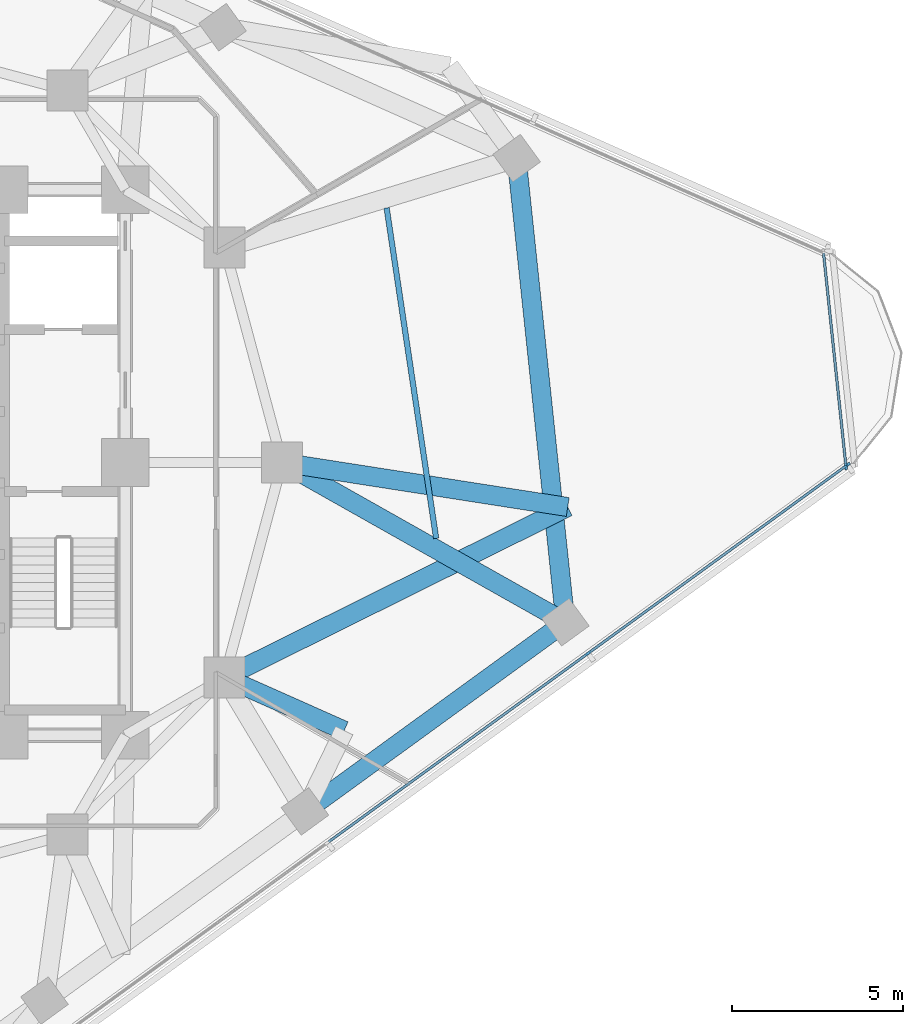
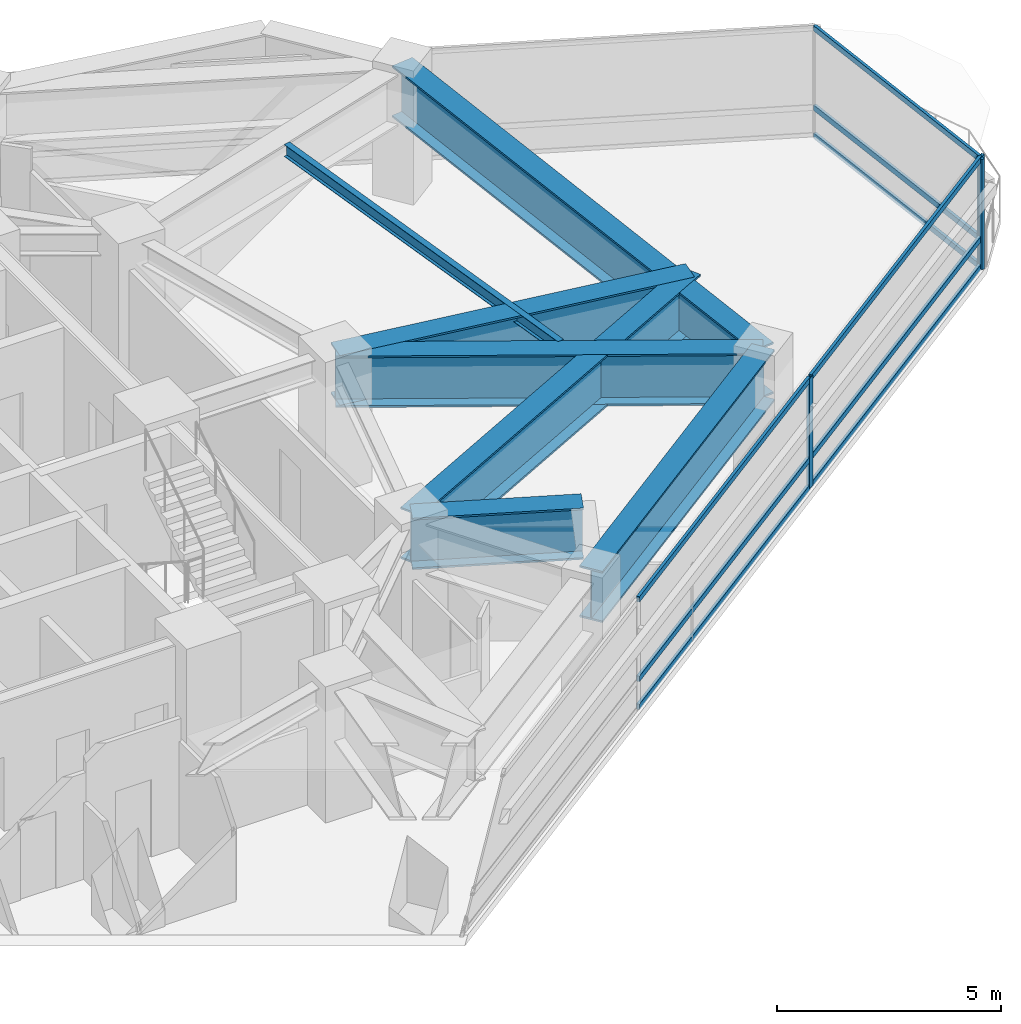
# One storey, part 4 of 14: 12 members, 7 beams, 2 elements without a shape of their own.
"""IFC4 building model written with IfcOpenShell, lengths in metres."""

from ifc_helpers import new_model, si_unit, direction, frame, origin, origin_2d, place, context, subcontext, project, spatial, rectangle, i_section, extrude, material, layer, layer_set, material_profile, profile_set, type_object, element, aggregate, save


model = new_model("IFC4")

# Units and contexts
model_context = context("Model", 3, precision=1e-05, world=origin(), true_north=direction((0.0, 1.0)))
body_context = subcontext(model_context, "Body", "Model", "MODEL_VIEW")
ifc_project = project(units=[si_unit("LENGTHUNIT", "METRE"), si_unit("AREAUNIT", "SQUARE_METRE"), si_unit("VOLUMEUNIT", "CUBIC_METRE"), si_unit("PLANEANGLEUNIT", "RADIAN"), si_unit("MASSUNIT", "GRAM", prefix="KILO")], contexts=[model_context])

# Site, building, storey
site_placement = place(None, origin())
site = spatial("IfcSite", under=ifc_project, at=site_placement, CompositionType="ELEMENT")
building_placement = place(site_placement, origin())
building = spatial("IfcBuilding", under=site, at=building_placement, Name="Terralouvre Media Tower", CompositionType="ELEMENT")
storey_placement = place(building_placement, frame((0.0, 0.0, 180.5)))
storey = spatial("IfcBuildingStorey", under=building, at=storey_placement, Name="L46", CompositionType="ELEMENT", Elevation=180.5)

# Beam
ifc_material_1 = material(Name="Structural steel S355J2", Category="steel")
ifc_material_profile_1 = material_profile(ifc_material_1, i_section(OverallWidth=0.159912109375, OverallDepth=0.330078125, WebThickness=0.007568359375, FlangeThickness=0.011474609375, at=origin_2d()), Name="IPE 330")
ifc_profile_set_1 = profile_set([ifc_material_profile_1], Name="Structural steel S355J2")
beam_type_1 = type_object("IfcBeamType", Name="Composite Floor Joist J-IPE330 (IPE 330)", PredefinedType="JOIST", material=ifc_profile_set_1)
beam_1_placement = place(storey_placement, frame((17.115234375, -2.22607421875, 3.3349609375), z_axis=(-0.148194275539, 0.988958268431, 0.0), x_axis=(-0.988958268431, -0.148194275539, 0.0)))
element("IfcBeam", 1, at=beam_1_placement, inside=storey, type_object=beam_type_1, Name="L46 Framing Beam JT-L46-03", PredefinedType="JOIST", context=body_context, shape_type="SweptSolid", body=[
    extrude(i_section(OverallWidth=0.159912109375, OverallDepth=0.330078125, WebThickness=0.007568359375, FlangeThickness=0.011474609375, at=origin_2d()), origin(), (0.0, 0.0, 1.0), 9.800537109375),
])

# Curtain wall, members
ifc_material_2 = material(Name="Low-iron laminated double glazing with solar-control coating", Category="glass")
ifc_layer_1 = layer(ifc_material_2, 0.1650390625, Name="Production Studio Tower Curtain Wall CW-03")
ifc_layer_set_1 = layer_set([ifc_layer_1], Name="Low-iron laminated double glazing with solar-control coating")
curtain_wall_type_1 = type_object("IfcCurtainWallType", Name="Production Studio Tower Curtain Wall CW-03", PredefinedType="NOTDEFINED", material=ifc_layer_set_1)
curtain_wall_1_placement = place(storey_placement, origin())
curtain_wall_1 = element("IfcCurtainWall", 2, at=curtain_wall_1_placement, inside=storey, type_object=curtain_wall_type_1, Name="L46 Facade Curtain Wall F0", PredefinedType="NOTDEFINED")
ifc_material_3 = material(Name="Anodised extruded aluminium 6063-T6", Category="aluminium")
ifc_material_profile_2 = material_profile(ifc_material_3, rectangle(XDim=0.074951171875, YDim=0.14990234375, at=origin_2d()), Name="ALU 75x150")
ifc_profile_set_2 = profile_set([ifc_material_profile_2], Name="Anodised extruded aluminium 6063-T6")
member_type_1 = type_object("IfcMemberType", Name="Curtain-Wall Horizontal Transom TR-150", PredefinedType="USERDEFINED", material=ifc_profile_set_2)
member_1_placement = place(storey_placement, frame((13.9619140625, -11.123046875, 0.03759765625), z_axis=(0.809023450607, 0.587776365948, 0.0), x_axis=(-0.587776365948, 0.809023450607, 0.0)))
member_1 = element("IfcMember", 3, at=member_1_placement, type_object=member_type_1, Name="CW-03 transom 4.1", ObjectType="TRANSOM", PredefinedType="USERDEFINED", context=body_context, shape_type="SweptSolid", body=[
    extrude(rectangle(XDim=0.074951171875, YDim=0.14990234375, at=origin_2d()), origin(), (0.0, 0.0, 1.0), 9.365234375),
])
member_2_placement = place(storey_placement, frame((13.9619140625, -11.123046875, 0.800048828125), z_axis=(0.809023450607, 0.587776365948, 0.0), x_axis=(-0.587776365948, 0.809023450607, 0.0)))
member_2 = element("IfcMember", 4, at=member_2_placement, type_object=member_type_1, Name="CW-03 transom 4.2", ObjectType="TRANSOM", PredefinedType="USERDEFINED", context=body_context, shape_type="SweptSolid", body=[
    extrude(rectangle(XDim=0.074951171875, YDim=0.14990234375, at=origin_2d()), origin(), (0.0, 0.0, 1.0), 9.365234375),
])
member_3_placement = place(storey_placement, frame((13.9619140625, -11.123046875, 2.96240234375), z_axis=(0.809023450607, 0.587776365948, 0.0), x_axis=(-0.587776365948, 0.809023450607, 0.0)))
member_3 = element("IfcMember", 5, at=member_3_placement, type_object=member_type_1, Name="CW-03 transom 4.3", ObjectType="TRANSOM", PredefinedType="USERDEFINED", context=body_context, shape_type="SweptSolid", body=[
    extrude(rectangle(XDim=0.074951171875, YDim=0.14990234375, at=origin_2d()), origin(), (0.0, 0.0, 1.0), 9.365234375),
])
member_4_placement = place(storey_placement, frame((21.59912109375, -5.574462890625, 0.03759765625), z_axis=(0.809013297727, 0.587790340259, 0.0), x_axis=(-0.587790340259, 0.809013297727, 0.0)))
member_4 = element("IfcMember", 6, at=member_4_placement, type_object=member_type_1, Name="CW-03 transom 5.1", ObjectType="TRANSOM", PredefinedType="USERDEFINED", context=body_context, shape_type="SweptSolid", body=[
    extrude(rectangle(XDim=0.074951171875, YDim=0.14990234375, at=origin_2d()), origin(), (0.0, 0.0, 1.0), 9.32763671875),
])
member_5_placement = place(storey_placement, frame((21.59912109375, -5.574462890625, 0.800048828125), z_axis=(0.809013297727, 0.587790340259, 0.0), x_axis=(-0.587790340259, 0.809013297727, 0.0)))
member_5 = element("IfcMember", 7, at=member_5_placement, type_object=member_type_1, Name="CW-03 transom 5.2", ObjectType="TRANSOM", PredefinedType="USERDEFINED", context=body_context, shape_type="SweptSolid", body=[
    extrude(rectangle(XDim=0.074951171875, YDim=0.14990234375, at=origin_2d()), origin(), (0.0, 0.0, 1.0), 9.32763671875),
])
member_6_placement = place(storey_placement, frame((21.59912109375, -5.574462890625, 2.96240234375), z_axis=(0.809013297727, 0.587790340259, 0.0), x_axis=(-0.587790340259, 0.809013297727, 0.0)))
member_6 = element("IfcMember", 8, at=member_6_placement, type_object=member_type_1, Name="CW-03 transom 5.3", ObjectType="TRANSOM", PredefinedType="USERDEFINED", context=body_context, shape_type="SweptSolid", body=[
    extrude(rectangle(XDim=0.074951171875, YDim=0.14990234375, at=origin_2d()), origin(), (0.0, 0.0, 1.0), 9.32763671875),
])

ifc_material_4 = material(Name="Low-iron laminated double glazing with solar-control coating", Category="glass")
ifc_layer_2 = layer(ifc_material_4, 0.1650390625, Name="Rounded Wind-Corner Curved Glazing CW-04")
ifc_layer_set_2 = layer_set([ifc_layer_2], Name="Low-iron laminated double glazing with solar-control coating")
curtain_wall_type_2 = type_object("IfcCurtainWallType", Name="Rounded Wind-Corner Curved Glazing CW-04", PredefinedType="NOTDEFINED", material=ifc_layer_set_2)
curtain_wall_2_placement = place(storey_placement, origin())
curtain_wall_2 = element("IfcCurtainWall", 9, at=curtain_wall_2_placement, inside=storey, type_object=curtain_wall_type_2, Name="L46 Rounded Wind-Corner Curtain Wall C1", PredefinedType="NOTDEFINED")
member_7_placement = place(storey_placement, frame((29.12939453125, -0.0849609375, 0.03759765625), z_axis=(-0.104542643073, 0.994520404908, 0.0), x_axis=(-0.994520404908, -0.104542643073, 0.0)))
member_7 = element("IfcMember", 10, at=member_7_placement, type_object=member_type_1, Name="CW-04 transom 1.1", ObjectType="TRANSOM", PredefinedType="USERDEFINED", context=body_context, shape_type="SweptSolid", body=[
    extrude(rectangle(XDim=0.074951171875, YDim=0.14990234375, at=origin_2d()), origin(), (0.0, 0.0, 1.0), 6.258544921875),
])
member_8_placement = place(storey_placement, frame((29.12939453125, -0.0849609375, 0.800048828125), z_axis=(-0.104542643073, 0.994520404908, 0.0), x_axis=(-0.994520404908, -0.104542643073, 0.0)))
member_8 = element("IfcMember", 11, at=member_8_placement, type_object=member_type_1, Name="CW-04 transom 1.2", ObjectType="TRANSOM", PredefinedType="USERDEFINED", context=body_context, shape_type="SweptSolid", body=[
    extrude(rectangle(XDim=0.074951171875, YDim=0.14990234375, at=origin_2d()), origin(), (0.0, 0.0, 1.0), 6.258544921875),
])
member_9_placement = place(storey_placement, frame((29.12939453125, -0.0849609375, 2.96240234375), z_axis=(-0.104542643073, 0.994520404908, 0.0), x_axis=(-0.994520404908, -0.104542643073, 0.0)))
member_9 = element("IfcMember", 12, at=member_9_placement, type_object=member_type_1, Name="CW-04 transom 1.3", ObjectType="TRANSOM", PredefinedType="USERDEFINED", context=body_context, shape_type="SweptSolid", body=[
    extrude(rectangle(XDim=0.074951171875, YDim=0.14990234375, at=origin_2d()), origin(), (0.0, 0.0, 1.0), 6.258544921875),
])

# Member
ifc_material_5 = material(Name="Anodised extruded aluminium 6063-T6", Category="aluminium")
ifc_material_profile_3 = material_profile(ifc_material_5, rectangle(XDim=0.074951171875, YDim=0.179931640625, at=origin_2d()), Name="ALU 75x180")
ifc_profile_set_3 = profile_set([ifc_material_profile_3], Name="Anodised extruded aluminium 6063-T6")
member_type_2 = type_object("IfcMemberType", Name="Curtain-Wall Vertical Mullion ML-180", PredefinedType="MULLION", material=ifc_profile_set_3)
member_10_placement = place(storey_placement, frame((21.56884765625, -5.596435546875, 0.0), z_axis=(0.0, 0.0, 1.0), x_axis=(-0.587785358263, 0.809016917383, 0.0)))
member_10 = element("IfcMember", 13, at=member_10_placement, type_object=member_type_2, Name="CW-03 mullion 5", PredefinedType="MULLION", context=body_context, shape_type="SweptSolid", body=[
    extrude(rectangle(XDim=0.074951171875, YDim=0.179931640625, at=origin_2d()), origin(), (0.0, 0.0, 1.0), 3.0),
])

member_11_placement = place(storey_placement, frame((29.175537109375, -0.06982421875, 0.0), z_axis=(0.0, 0.0, 1.0), x_axis=(-0.587785358263, 0.809016917383, 0.0)))
member_11 = element("IfcMember", 14, at=member_11_placement, type_object=member_type_2, Name="CW-03 mullion 6", PredefinedType="MULLION", context=body_context, shape_type="SweptSolid", body=[
    extrude(rectangle(XDim=0.074951171875, YDim=0.179931640625, at=origin_2d()), origin(), (0.0, 0.0, 1.0), 3.0),
])

aggregate(curtain_wall_1, [member_10, member_11, member_1, member_2, member_3, member_4, member_5, member_6])

member_12_placement = place(storey_placement, frame((29.13330078125, -0.122314453125, 0.0), z_axis=(0.0, 0.0, 1.0), x_axis=(-0.994521891172, -0.10452850319, 0.0)))
member_12 = element("IfcMember", 15, at=member_12_placement, type_object=member_type_2, Name="CW-04 mullion 1", PredefinedType="MULLION", context=body_context, shape_type="SweptSolid", body=[
    extrude(rectangle(XDim=0.074951171875, YDim=0.179931640625, at=origin_2d()), origin(), (0.0, 0.0, 1.0), 3.0),
])

aggregate(curtain_wall_2, [member_12, member_7, member_8, member_9])

# Beams
ifc_material_6 = material(Name="Structural steel S460M", Category="steel")
ifc_material_profile_4 = material_profile(ifc_material_6, i_section(OverallWidth=0.56005859375, OverallDepth=1.39990234375, WebThickness=0.031982421875, FlangeThickness=0.050048828125, at=origin_2d()), Name="TG 1400x560")
ifc_profile_set_4 = profile_set([ifc_material_profile_4], Name="Structural steel S460M")
beam_type_2 = type_object("IfcBeamType", Name="Welded Transfer Girder TG-1400 (TG 1400x560)", PredefinedType="USERDEFINED", material=ifc_profile_set_4)
beam_2_placement = place(storey_placement, frame((13.267578125, -10.23095703125, 2.800048828125), z_axis=(0.809016709277, 0.587785644696, 0.0), x_axis=(-0.587785644696, 0.809016709277, 0.0)))
element("IfcBeam", 16, at=beam_2_placement, inside=storey, type_object=beam_type_2, Name="L46 Framing Beam BM-L46-PR05", ObjectType="TRANSFER GIRDER", PredefinedType="USERDEFINED", context=body_context, shape_type="SweptSolid", body=[
    extrude(i_section(OverallWidth=0.56005859375, OverallDepth=1.39990234375, WebThickness=0.031982421875, FlangeThickness=0.050048828125, at=origin_2d()), origin(), (0.0, 0.0, 1.0), 9.439697265625),
])
beam_3_placement = place(storey_placement, frame((20.904541015625, -4.682373046875, 2.800048828125), z_axis=(-0.104517607269, 0.99452303632, 0.0), x_axis=(-0.99452303632, -0.104517607269, 0.0)))
element("IfcBeam", 17, at=beam_3_placement, inside=storey, type_object=beam_type_2, Name="L46 Framing Beam BM-L46-PR06", ObjectType="TRANSFER GIRDER", PredefinedType="USERDEFINED", context=body_context, shape_type="SweptSolid", body=[
    extrude(i_section(OverallWidth=0.56005859375, OverallDepth=1.39990234375, WebThickness=0.031982421875, FlangeThickness=0.050048828125, at=origin_2d()), origin(), (0.0, 0.0, 1.0), 13.68359375),
])
beam_4_placement = place(storey_placement, frame((12.60009765625, 0.0, 2.800048828125), z_axis=(0.871076516642, -0.491147332432, 0.0), x_axis=(0.491147332432, 0.871076516642, 0.0)))
element("IfcBeam", 18, at=beam_4_placement, inside=storey, type_object=beam_type_2, Name="L46 Framing Beam BM-L46-RD06", ObjectType="TRANSFER GIRDER", PredefinedType="USERDEFINED", context=body_context, shape_type="SweptSolid", body=[
    extrude(i_section(OverallWidth=0.56005859375, OverallDepth=1.39990234375, WebThickness=0.031982421875, FlangeThickness=0.050048828125, at=origin_2d()), origin(), (0.0, 0.0, 1.0), 9.533447265625),
])
beam_5_placement = place(storey_placement, frame((14.417236328125, -7.86083984375, 2.800048828125), z_axis=(-0.913535846257, 0.406758229915, 0.0), x_axis=(-0.406758229915, -0.913535846257, 0.0)))
element("IfcBeam", 19, at=beam_5_placement, inside=storey, type_object=beam_type_2, Name="L46 Framing Beam BM-L46-TR03S2", ObjectType="TRANSFER GIRDER", PredefinedType="USERDEFINED", context=body_context, shape_type="SweptSolid", body=[
    extrude(i_section(OverallWidth=0.56005859375, OverallDepth=1.39990234375, WebThickness=0.031982421875, FlangeThickness=0.050048828125, at=origin_2d()), origin(), (0.0, 0.0, 1.0), 3.837158203125),
])
beam_6_placement = place(storey_placement, frame((20.973388671875, -1.3046875, 2.800048828125), z_axis=(-0.988077445791, 0.153957660154, 0.0), x_axis=(-0.153957660154, -0.988077445791, 0.0)))
element("IfcBeam", 20, at=beam_6_placement, inside=storey, type_object=beam_type_2, Name="L46 Framing Beam BM-L46-TR04S1", ObjectType="TRANSFER GIRDER", PredefinedType="USERDEFINED", context=body_context, shape_type="SweptSolid", body=[
    extrude(i_section(OverallWidth=0.56005859375, OverallDepth=1.39990234375, WebThickness=0.031982421875, FlangeThickness=0.050048828125, at=origin_2d()), origin(), (0.0, 0.0, 1.0), 8.474365234375),
])
beam_7_placement = place(storey_placement, frame((20.973388671875, -1.3046875, 2.800048828125), z_axis=(-0.895684185406, -0.444690724002, 0.0), x_axis=(0.444690724002, -0.895684185406, 0.0)))
element("IfcBeam", 21, at=beam_7_placement, inside=storey, type_object=beam_type_2, Name="L46 Framing Beam BM-L46-TR04S2", ObjectType="TRANSFER GIRDER", PredefinedType="USERDEFINED", context=body_context, shape_type="SweptSolid", body=[
    extrude(i_section(OverallWidth=0.56005859375, OverallDepth=1.39990234375, WebThickness=0.031982421875, FlangeThickness=0.050048828125, at=origin_2d()), origin(), (0.0, 0.0, 1.0), 11.2333984375),
])

save(model, "model.ifc")
